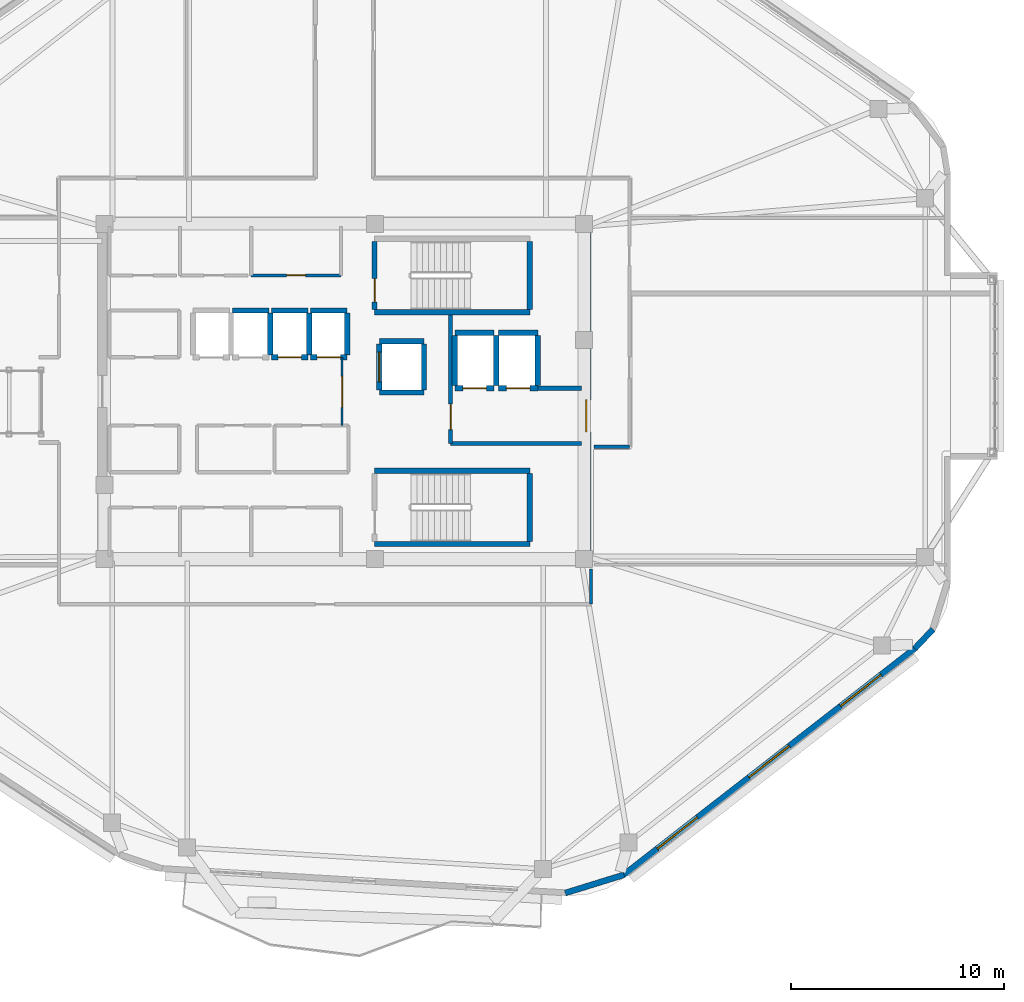
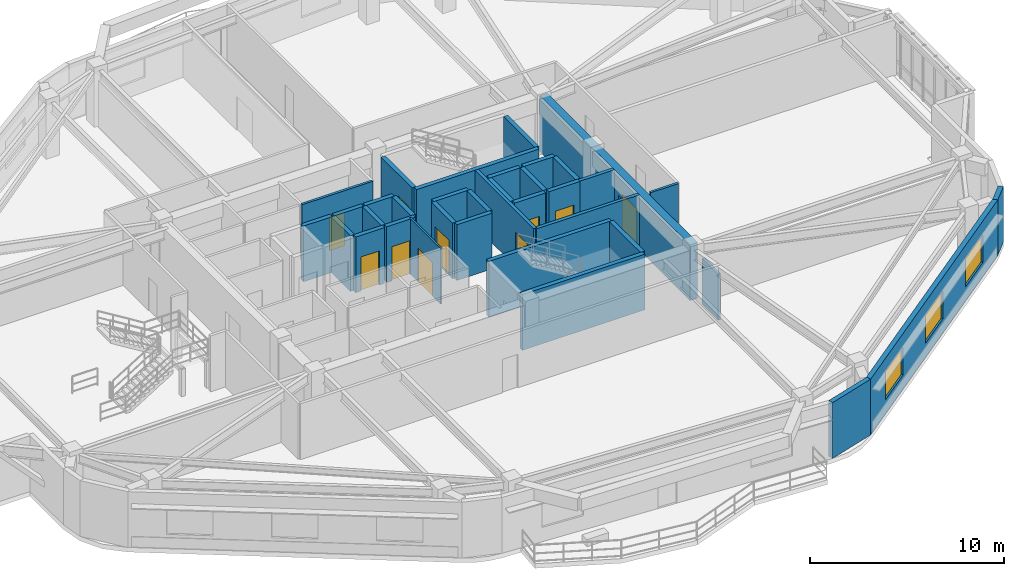
# One storey, part 13 of 18: 36 walls, 10 doors, 3 windows, 13 openings.
"""IFC4 building model written with IfcOpenShell, lengths in metres."""

from ifc_helpers import new_model, si_unit, direction, frame, frame_2d, origin, place, context, subcontext, project, spatial, rectangle, extrude, material, layer, layer_set, type_object, element, fill, save


model = new_model("IFC4")

# Units and contexts
model_context = context("Model", 3, precision=1e-05, world=origin(), true_north=direction((0.0, 1.0)))
body_context = subcontext(model_context, "Body", "Model", "MODEL_VIEW")
ifc_project = project(units=[si_unit("LENGTHUNIT", "METRE"), si_unit("AREAUNIT", "SQUARE_METRE"), si_unit("VOLUMEUNIT", "CUBIC_METRE"), si_unit("PLANEANGLEUNIT", "RADIAN"), si_unit("MASSUNIT", "GRAM", prefix="KILO")], contexts=[model_context])

# Site, building, storey
site_placement = place(None, origin())
site = spatial("IfcSite", under=ifc_project, at=site_placement, CompositionType="ELEMENT")
building_placement = place(site_placement, origin())
building = spatial("IfcBuilding", under=site, at=building_placement, Name="Zulverin Broadcast Headquarters", CompositionType="ELEMENT")
storey_placement = place(building_placement, frame((0.0, 0.0, 225.0)))
storey = spatial("IfcBuildingStorey", under=building, at=storey_placement, Name="L57", CompositionType="ELEMENT", Elevation=225.0)

# Wall, opening, door
ifc_material_1 = material(Name="Concrete C50/60", Category="concrete")
ifc_layer_1 = layer(ifc_material_1, 0.449951171875, Name="Concrete C50/60", Category="concrete")
ifc_layer_set_1 = layer_set([ifc_layer_1], Name="Concrete C50/60")
wall_type_1 = type_object("IfcWallType", Name="WL-CORE-450", PredefinedType="SHEAR", material=ifc_layer_set_1)
wall_1_placement = place(storey_placement, frame((48.375, 17.449951171875, 0.0), z_axis=(0.0, 0.0, 1.0), x_axis=(0.0, 1.0, 0.0)))
wall_1 = element("IfcWall", 1, at=wall_1_placement, inside=storey, type_object=wall_type_1, Name="L57 Core East Shear Wall", PredefinedType="SHEAR", context=body_context, shape_type="SweptSolid", body=[
    extrude(rectangle(XDim=15.5, YDim=0.449951171875, at=frame_2d((7.75, 0.0))), origin(), (0.0, 0.0, 1.0), 3.510009765625),
])
opening_1_placement = place(wall_1_placement, frame((5.85009765625, 0.0, 0.0)))
opening_1 = element("IfcOpeningElement", 2, at=opening_1_placement, cuts=wall_1, Name="Opening D-L57-CE1", PredefinedType="OPENING", context=body_context, shape_type="SweptSolid", body=[
    extrude(rectangle(XDim=1.5, YDim=2.14990234375, at=frame_2d((0.75, 1.074951171875))), frame((0.0, 0.23486328125, 0.0), z_axis=(0.0, -1.0, 0.0), x_axis=(1.0, 0.0, 0.0)), (0.0, 0.0, 1.0), 0.469970703125),
])
ifc_material_2 = material(Name="Fire-rated glazed steel frame", Category="steel")
door_type_1 = type_object("IfcDoorType", Name="DR-COR-1500", OperationType="DOUBLE_DOOR_SINGLE_SWING", PredefinedType="DOOR", material=ifc_material_2)
door_1_placement = place(opening_1_placement, origin())
door_1 = element("IfcDoor", 3, at=door_1_placement, inside=storey, type_object=door_type_1, Name="L57 Firefighting Lobby East Corridor Door", OperationType="DOUBLE_DOOR_SINGLE_SWING", OverallHeight=2.14990234375, OverallWidth=1.5, PredefinedType="DOOR", context=body_context, shape_type="SweptSolid", body=[
    extrude(rectangle(XDim=1.5, YDim=2.14990234375, at=frame_2d((0.75, 1.074951171875))), frame((0.0, 0.02490234375, 0.0), z_axis=(0.0, -1.0, 0.0), x_axis=(1.0, 0.0, 0.0)), (0.0, 0.0, 1.0), 0.050048828125),
])
fill(opening_1, door_1)

# Wall, openings, windows
ifc_material_3 = material(Name="Insulated pale-metal clad concrete spandrel C40/50", Category="concrete")
ifc_layer_2 = layer(ifc_material_3, 0.280029296875, Name="Insulated pale-metal clad concrete spandrel C40/50", Category="concrete")
ifc_layer_set_2 = layer_set([ifc_layer_2], Name="Insulated pale-metal clad concrete spandrel C40/50")
wall_type_2 = type_object("IfcWallType", Name="WL-EXT-280", PredefinedType="STANDARD", material=ifc_layer_set_2)
wall_2_placement = place(storey_placement, frame((50.10400390625, 2.458984375, 0.0), z_axis=(0.0, 0.0, 1.0), x_axis=(0.789464857485, 0.613795763097, 0.0)))
wall_2 = element("IfcWall", 4, at=wall_2_placement, inside=storey, type_object=wall_type_2, Name="L57 Pale-Metal Clad Spandrel Wall 2", PredefinedType="STANDARD", context=body_context, shape_type="SweptSolid", body=[
    extrude(rectangle(XDim=17.387451171875, YDim=0.280029296875, at=frame_2d((8.69384765625, 0.0))), origin(), (0.0, 0.0, 1.0), 3.510009765625),
])
opening_2_placement = place(wall_2_placement, frame((2.03125, 0.0, 0.89990234375)))
opening_2 = element("IfcOpeningElement", 5, at=opening_2_placement, cuts=wall_2, Name="Opening W-L57-E21", PredefinedType="OPENING", context=body_context, shape_type="SweptSolid", body=[
    extrude(rectangle(XDim=2.39990234375, YDim=1.75, at=frame_2d((1.199951171875, 0.875))), frame((0.0, 0.14990234375, 0.0), z_axis=(0.0, -1.0, 0.0), x_axis=(1.0, 0.0, 0.0)), (0.0, 0.0, 1.0), 0.300048828125),
])
opening_3_placement = place(wall_2_placement, frame((7.49365234375, 0.0, 0.89990234375)))
opening_3 = element("IfcOpeningElement", 6, at=opening_3_placement, cuts=wall_2, Name="Opening W-L57-E22", PredefinedType="OPENING", context=body_context, shape_type="SweptSolid", body=[
    extrude(rectangle(XDim=2.39990234375, YDim=1.75, at=frame_2d((1.199951171875, 0.875))), frame((0.0, 0.14990234375, 0.0), z_axis=(0.0, -1.0, 0.0), x_axis=(1.0, 0.0, 0.0)), (0.0, 0.0, 1.0), 0.300048828125),
])
opening_4_placement = place(wall_2_placement, frame((12.956298828125, 0.0, 0.89990234375)))
opening_4 = element("IfcOpeningElement", 7, at=opening_4_placement, cuts=wall_2, Name="Opening W-L57-E23", PredefinedType="OPENING", context=body_context, shape_type="SweptSolid", body=[
    extrude(rectangle(XDim=2.39990234375, YDim=1.75, at=frame_2d((1.199951171875, 0.875))), frame((0.0, 0.14990234375, 0.0), z_axis=(0.0, -1.0, 0.0), x_axis=(1.0, 0.0, 0.0)), (0.0, 0.0, 1.0), 0.300048828125),
])
ifc_material_4 = material(Name="Pale anodized aluminium frame with solar-control low-E double glazing", Category="aluminium")
window_type = type_object("IfcWindowType", Name="WIN-RIB-2400", PartitioningType="SINGLE_PANEL", PredefinedType="WINDOW", material=ifc_material_4)
window_1_placement = place(opening_2_placement, origin())
window_1 = element("IfcWindow", 8, at=window_1_placement, inside=storey, type_object=window_type, Name="L57 Ribbon Glazing Window 2 1", OverallHeight=1.75, OverallWidth=2.39990234375, PartitioningType="SINGLE_PANEL", PredefinedType="WINDOW", context=body_context, shape_type="SweptSolid", body=[
    extrude(rectangle(XDim=2.39990234375, YDim=1.75, at=frame_2d((1.199951171875, 0.875))), frame((0.0, 0.030029296875, 0.0), z_axis=(0.0, -1.0, 0.0), x_axis=(1.0, 0.0, 0.0)), (0.0, 0.0, 1.0), 0.06005859375),
])
fill(opening_2, window_1)
window_2_placement = place(opening_3_placement, origin())
window_2 = element("IfcWindow", 9, at=window_2_placement, inside=storey, type_object=window_type, Name="L57 Ribbon Glazing Window 2 2", OverallHeight=1.75, OverallWidth=2.39990234375, PartitioningType="SINGLE_PANEL", PredefinedType="WINDOW", context=body_context, shape_type="SweptSolid", body=[
    extrude(rectangle(XDim=2.39990234375, YDim=1.75, at=frame_2d((1.199951171875, 0.875))), frame((0.0, 0.030029296875, 0.0), z_axis=(0.0, -1.0, 0.0), x_axis=(1.0, 0.0, 0.0)), (0.0, 0.0, 1.0), 0.06005859375),
])
fill(opening_3, window_2)
window_3_placement = place(opening_4_placement, origin())
window_3 = element("IfcWindow", 10, at=window_3_placement, inside=storey, type_object=window_type, Name="L57 Ribbon Glazing Window 2 3", OverallHeight=1.75, OverallWidth=2.39990234375, PartitioningType="SINGLE_PANEL", PredefinedType="WINDOW", context=body_context, shape_type="SweptSolid", body=[
    extrude(rectangle(XDim=2.39990234375, YDim=1.75, at=frame_2d((1.199951171875, 0.875))), frame((0.0, 0.030029296875, 0.0), z_axis=(0.0, -1.0, 0.0), x_axis=(1.0, 0.0, 0.0)), (0.0, 0.0, 1.0), 0.06005859375),
])
fill(opening_4, window_3)

# Walls
wall_3_placement = place(storey_placement, frame((47.38623046875, 1.626220703125, 0.0), z_axis=(0.0, 0.0, 1.0), x_axis=(0.955189316149, 0.29599555793, 0.0)))
element("IfcWall", 11, at=wall_3_placement, inside=storey, type_object=wall_type_2, Name="L57 Wind-Shaped Corner Spandrel Wall 1-1", PredefinedType="STANDARD", context=body_context, shape_type="SweptSolid", body=[
    extrude(rectangle(XDim=2.891845703125, YDim=0.280029296875, at=frame_2d((1.44580078125, 0.0))), origin(), (0.0, 0.0, 1.0), 3.510009765625),
])
wall_4_placement = place(storey_placement, frame((63.81494140625, 13.1171875, 0.0), z_axis=(0.0, 0.0, 1.0), x_axis=(0.687733716128, 0.725963040176, 0.0)))
element("IfcWall", 12, at=wall_4_placement, inside=storey, type_object=wall_type_2, Name="L57 Wind-Shaped Corner Spandrel Wall 2-1", PredefinedType="STANDARD", context=body_context, shape_type="SweptSolid", body=[
    extrude(rectangle(XDim=1.239013671875, YDim=0.280029296875, at=frame_2d((0.61962890625, 0.0))), origin(), (0.0, 0.0, 1.0), 3.510009765625),
])

# Wall, opening, door
ifc_material_5 = material(Name="Concrete C40/50", Category="concrete")
ifc_layer_3 = layer(ifc_material_5, 0.199951171875, Name="Concrete C40/50", Category="concrete")
ifc_layer_set_3 = layer_set([ifc_layer_3], Name="Concrete C40/50")
wall_type_3 = type_object("IfcWallType", Name="WL-FFL-200", PredefinedType="SOLIDWALL", material=ifc_layer_set_3)
wall_5_placement = place(storey_placement, frame((42.0, 22.75, 0.0), z_axis=(0.0, 0.0, 1.0), x_axis=(0.0, 1.0, 0.0)))
wall_5 = element("IfcWall", 13, at=wall_5_placement, inside=storey, type_object=wall_type_3, Name="L57 Firefighting Lift Lobby West Wall", PredefinedType="SOLIDWALL", context=body_context, shape_type="SweptSolid", body=[
    extrude(rectangle(XDim=6.050048828125, YDim=0.199951171875, at=frame_2d((3.02490234375, 0.0))), origin(), (0.0, 0.0, 1.0), 3.510009765625),
])
opening_5_placement = place(wall_5_placement, frame((0.64990234375, 0.0, 0.0)))
opening_5 = element("IfcOpeningElement", 14, at=opening_5_placement, cuts=wall_5, Name="Opening D-L57-FFLW", PredefinedType="OPENING", context=body_context, shape_type="SweptSolid", body=[
    extrude(rectangle(XDim=1.199951171875, YDim=2.14990234375, at=frame_2d((0.60009765625, 1.074951171875))), frame((0.0, 0.10986328125, 0.0), z_axis=(0.0, -1.0, 0.0), x_axis=(1.0, 0.0, 0.0)), (0.0, 0.0, 1.0), 0.219970703125),
])
ifc_material_6 = material(Name="Fire-rated steel leaf and frame", Category="steel")
door_type_2 = type_object("IfcDoorType", Name="DR-FFL-1200", OperationType="SINGLE_SWING_RIGHT", PredefinedType="DOOR", material=ifc_material_6)
door_2_placement = place(opening_5_placement, origin())
door_2 = element("IfcDoor", 15, at=door_2_placement, inside=storey, type_object=door_type_2, Name="L57 Firefighting Lift Lobby Door", OperationType="SINGLE_SWING_RIGHT", OverallHeight=2.14990234375, OverallWidth=1.199951171875, PredefinedType="DOOR", context=body_context, shape_type="SweptSolid", body=[
    extrude(rectangle(XDim=1.199951171875, YDim=2.14990234375, at=frame_2d((0.60009765625, 1.074951171875))), frame((0.0, 0.02490234375, 0.0), z_axis=(0.0, -1.0, 0.0), x_axis=(1.0, 0.0, 0.0)), (0.0, 0.0, 1.0), 0.050048828125),
])
fill(opening_5, door_2)

# Walls
wall_6_placement = place(storey_placement, frame((42.0, 22.75, 0.0), z_axis=(0.0, 0.0, 1.0), x_axis=(1.0, 0.0, 0.0)))
element("IfcWall", 16, at=wall_6_placement, inside=storey, type_object=wall_type_3, Name="L57 Firefighting Lift Lobby South Wall", PredefinedType="SOLIDWALL", context=body_context, shape_type="SweptSolid", body=[
    extrude(rectangle(XDim=6.14990234375, YDim=0.199951171875, at=frame_2d((3.074951171875, 0.0))), origin(), (0.0, 0.0, 1.0), 3.510009765625),
])
wall_7_placement = place(storey_placement, frame((46.10009765625, 25.35009765625, 0.0), z_axis=(0.0, 0.0, 1.0), x_axis=(1.0, 0.0, 0.0)))
element("IfcWall", 17, at=wall_7_placement, inside=storey, type_object=wall_type_3, Name="L57 Firefighting Lift Lobby North Wall", PredefinedType="SOLIDWALL", context=body_context, shape_type="SweptSolid", body=[
    extrude(rectangle(XDim=2.0498046875, YDim=0.199951171875, at=frame_2d((1.02490234375, 0.0))), origin(), (0.0, 0.0, 1.0), 3.510009765625),
])

# Wall, opening, door
ifc_material_7 = material(Name="Fire-rated acoustic laminated glass screen", Category="glass")
ifc_layer_4 = layer(ifc_material_7, 0.10009765625, Name="Fire-rated acoustic laminated glass screen", Category="glass")
ifc_layer_set_4 = layer_set([ifc_layer_4], Name="Fire-rated acoustic laminated glass screen")
wall_type_4 = type_object("IfcWallType", Name="WL-GLAZ-100", PredefinedType="PARTITIONING", material=ifc_layer_set_4)
wall_8_placement = place(storey_placement, frame((36.89990234375, 23.60009765625, 0.0), z_axis=(0.0, 0.0, 1.0), x_axis=(0.0, 1.0, 0.0)))
wall_8 = element("IfcWall", 18, at=wall_8_placement, inside=storey, type_object=wall_type_4, Name="L57 Core Goods & Stair Hall Screen", PredefinedType="PARTITIONING", context=body_context, shape_type="SweptSolid", body=[
    extrude(rectangle(XDim=3.199951171875, YDim=0.10009765625, at=frame_2d((1.60009765625, 0.0))), origin(), (0.0, 0.0, 1.0), 3.510009765625),
])
opening_6_placement = place(wall_8_placement, frame((0.85009765625, 0.0, 0.0)))
opening_6 = element("IfcOpeningElement", 19, at=opening_6_placement, cuts=wall_8, Name="Opening D-L57-CL3", PredefinedType="OPENING", context=body_context, shape_type="SweptSolid", body=[
    extrude(rectangle(XDim=1.449951171875, YDim=2.1201171875, at=frame_2d((0.72509765625, 1.06005859375))), frame((0.0, 0.06005859375, 0.0), z_axis=(0.0, -1.0, 0.0), x_axis=(1.0, 0.0, 0.0)), (0.0, 0.0, 1.0), 0.1201171875),
])
ifc_material_8 = material(Name="Fire-rated acoustic glazed double leaf", Category="glass")
door_type_3 = type_object("IfcDoorType", Name="DR-GLZ-1450", OperationType="DOUBLE_DOOR_SINGLE_SWING", PredefinedType="DOOR", material=ifc_material_8)
door_3_placement = place(opening_6_placement, origin())
door_3 = element("IfcDoor", 20, at=door_3_placement, inside=storey, type_object=door_type_3, Name="L57 Core Goods & Stair Hall Door", OperationType="DOUBLE_DOOR_SINGLE_SWING", OverallHeight=2.1201171875, OverallWidth=1.449951171875, PredefinedType="DOOR", context=body_context, shape_type="SweptSolid", body=[
    extrude(rectangle(XDim=1.449951171875, YDim=2.1201171875, at=frame_2d((0.72509765625, 1.06005859375))), frame((0.0, 0.02490234375, 0.0), z_axis=(0.0, -1.0, 0.0), x_axis=(1.0, 0.0, 0.0)), (0.0, 0.0, 1.0), 0.050048828125),
])
fill(opening_6, door_3)

ifc_material_9 = material(Name="Fire-rated gypsum stud partition", Category="gypsum")
ifc_layer_5 = layer(ifc_material_9, 0.14990234375, Name="Fire-rated gypsum stud partition", Category="gypsum")
ifc_layer_set_5 = layer_set([ifc_layer_5], Name="Fire-rated gypsum stud partition")
wall_type_5 = type_object("IfcWallType", Name="WL-PART-150", PredefinedType="PARTITIONING", material=ifc_layer_set_5)
wall_9_placement = place(storey_placement, frame((32.6298828125, 30.64990234375, 0.0), z_axis=(0.0, 0.0, 1.0), x_axis=(1.0, 0.0, 0.0)))
wall_9 = element("IfcWall", 21, at=wall_9_placement, inside=storey, type_object=wall_type_5, Name="L57 Core Electrical Distribution Riser Front Wall", PredefinedType="PARTITIONING", context=body_context, shape_type="SweptSolid", body=[
    extrude(rectangle(XDim=4.22021484375, YDim=0.14990234375, at=frame_2d((2.110107421875, 0.0))), origin(), (0.0, 0.0, 1.0), 3.510009765625),
])
opening_7_placement = place(wall_9_placement, frame((1.659912109375, 0.0, 0.0)))
opening_7 = element("IfcOpeningElement", 22, at=opening_7_placement, cuts=wall_9, Name="Opening D-L57-NC3", PredefinedType="OPENING", context=body_context, shape_type="SweptSolid", body=[
    extrude(rectangle(XDim=0.89990234375, YDim=2.10009765625, at=frame_2d((0.449951171875, 1.050048828125))), frame((0.0, 0.0849609375, 0.0), z_axis=(0.0, -1.0, 0.0), x_axis=(1.0, 0.0, 0.0)), (0.0, 0.0, 1.0), 0.169921875),
])
ifc_material_10 = material(Name="Powder-coated steel access leaf", Category="steel")
door_type_4 = type_object("IfcDoorType", Name="DR-RISER-900", OperationType="SINGLE_SWING_LEFT", PredefinedType="DOOR", material=ifc_material_10)
door_4_placement = place(opening_7_placement, origin())
door_4 = element("IfcDoor", 23, at=door_4_placement, inside=storey, type_object=door_type_4, Name="L57 Electrical Distribution Riser Door", OperationType="SINGLE_SWING_LEFT", OverallHeight=2.10009765625, OverallWidth=0.89990234375, PredefinedType="DOOR", context=body_context, shape_type="SweptSolid", body=[
    extrude(rectangle(XDim=0.89990234375, YDim=2.10009765625, at=frame_2d((0.449951171875, 1.050048828125))), frame((0.0, 0.02490234375, 0.0), z_axis=(0.0, -1.0, 0.0), x_axis=(1.0, 0.0, 0.0)), (0.0, 0.0, 1.0), 0.050048828125),
])
fill(opening_7, door_4)

# Walls
wall_10_placement = place(storey_placement, frame((48.60009765625, 15.199951171875, 0.0), z_axis=(0.0, 0.0, 1.0), x_axis=(0.0, 1.0, 0.0)))
element("IfcWall", 24, at=wall_10_placement, inside=storey, type_object=wall_type_5, Name="L57 Gallery Partition Wall CG-02", PredefinedType="PARTITIONING", context=body_context, shape_type="SweptSolid", body=[
    extrude(rectangle(XDim=1.66015625, YDim=0.14990234375, at=frame_2d((0.830078125, 0.0))), origin(), (0.0, 0.0, 1.0), 2.892822265625),
])
wall_11_placement = place(storey_placement, frame((48.739990234375, 22.60009765625, 0.0), z_axis=(0.0, 0.0, 1.0), x_axis=(1.0, 0.0, 0.0)))
element("IfcWall", 25, at=wall_11_placement, inside=storey, type_object=wall_type_5, Name="L57 Gallery Partition Wall CG-11", PredefinedType="PARTITIONING", context=body_context, shape_type="SweptSolid", body=[
    extrude(rectangle(XDim=1.659912109375, YDim=0.14990234375, at=frame_2d((0.830078125, 0.0))), origin(), (0.0, 0.0, 1.0), 3.510009765625),
])
ifc_layer_6 = layer(ifc_material_1, 0.25, Name="Concrete C50/60", Category="concrete")
ifc_layer_set_6 = layer_set([ifc_layer_6], Name="Concrete C50/60")
wall_type_6 = type_object("IfcWallType", Name="WL-SHAFT-250", PredefinedType="SHEAR", material=ifc_layer_set_6)
wall_12_placement = place(storey_placement, frame((38.425048828125, 28.925048828125, 0.0), z_axis=(0.0, 0.0, 1.0), x_axis=(1.0, 0.0, 0.0)))
element("IfcWall", 26, at=wall_12_placement, inside=storey, type_object=wall_type_6, Name="L57 ST-1 Enclosure Wall S", PredefinedType="SHEAR", context=body_context, shape_type="SweptSolid", body=[
    extrude(rectangle(XDim=7.300048828125, YDim=0.25, at=frame_2d((3.64990234375, 0.0))), origin(), (0.0, 0.0, 1.0), 3.510009765625),
])

# Wall, opening, door
wall_13_placement = place(storey_placement, frame((38.425048828125, 29.050048828125, 0.0), z_axis=(0.0, 0.0, 1.0), x_axis=(0.0, 1.0, 0.0)))
wall_13 = element("IfcWall", 27, at=wall_13_placement, inside=storey, type_object=wall_type_6, Name="L57 ST-1 Enclosure Wall W", PredefinedType="SHEAR", context=body_context, shape_type="SweptSolid", body=[
    extrude(rectangle(XDim=3.199951171875, YDim=0.25, at=frame_2d((1.60009765625, 0.0))), origin(), (0.0, 0.0, 1.0), 3.510009765625),
])
opening_8_placement = place(wall_13_placement, frame((0.35009765625, 0.0, 0.0)))
opening_8 = element("IfcOpeningElement", 28, at=opening_8_placement, cuts=wall_13, Name="Opening D-L57-ST-1", PredefinedType="OPENING", context=body_context, shape_type="SweptSolid", body=[
    extrude(rectangle(XDim=1.10009765625, YDim=2.14990234375, at=frame_2d((0.550048828125, 1.074951171875))), frame((0.0, 0.135009765625, 0.0), z_axis=(0.0, -1.0, 0.0), x_axis=(1.0, 0.0, 0.0)), (0.0, 0.0, 1.0), 0.27001953125),
])
door_type_5 = type_object("IfcDoorType", Name="DR-STAIR-1100", OperationType="SINGLE_SWING_LEFT", PredefinedType="DOOR", material=ifc_material_6)
door_5_placement = place(opening_8_placement, origin())
door_5 = element("IfcDoor", 29, at=door_5_placement, inside=storey, type_object=door_type_5, Name="L57 Exit Stair ST-1 Fire Door", OperationType="SINGLE_SWING_LEFT", OverallHeight=2.14990234375, OverallWidth=1.10009765625, PredefinedType="DOOR", context=body_context, shape_type="SweptSolid", body=[
    extrude(rectangle(XDim=1.10009765625, YDim=2.14990234375, at=frame_2d((0.550048828125, 1.074951171875))), frame((0.0, 0.02490234375, 0.0), z_axis=(0.0, -1.0, 0.0), x_axis=(1.0, 0.0, 0.0)), (0.0, 0.0, 1.0), 0.050048828125),
])
fill(opening_8, door_5)

# Walls
wall_14_placement = place(storey_placement, frame((45.72509765625, 29.050048828125, 0.0), z_axis=(0.0, 0.0, 1.0), x_axis=(0.0, 1.0, 0.0)))
element("IfcWall", 30, at=wall_14_placement, inside=storey, type_object=wall_type_6, Name="L57 ST-1 Enclosure Wall E", PredefinedType="SHEAR", context=body_context, shape_type="SweptSolid", body=[
    extrude(rectangle(XDim=3.199951171875, YDim=0.25, at=frame_2d((1.60009765625, 0.0))), origin(), (0.0, 0.0, 1.0), 3.510009765625),
])
for number, where, z_axis, x_axis, name in (
    (31, (38.425048828125, 18.02490234375, 0.0), (0.0, 0.0, 1.0), (1.0, 0.0, 0.0), "L57 ST-2 Enclosure Wall S"),
    (32, (38.425048828125, 21.47509765625, 0.0), (0.0, 0.0, 1.0), (1.0, 0.0, 0.0), "L57 ST-2 Enclosure Wall N"),
):
    element("IfcWall", number, at=place(storey_placement, frame(where, z_axis=z_axis, x_axis=x_axis)), inside=storey, type_object=wall_type_6, Name=name, PredefinedType="SHEAR", context=body_context, shape_type="SweptSolid", body=[
        extrude(rectangle(XDim=7.300048828125, YDim=0.25, at=frame_2d((3.64990234375, 0.0))), origin(), (0.0, 0.0, 1.0), 3.510009765625),
    ])
wall_15_placement = place(storey_placement, frame((45.72509765625, 18.14990234375, 0.0), z_axis=(0.0, 0.0, 1.0), x_axis=(0.0, 1.0, 0.0)))
element("IfcWall", 33, at=wall_15_placement, inside=storey, type_object=wall_type_6, Name="L57 ST-2 Enclosure Wall E", PredefinedType="SHEAR", context=body_context, shape_type="SweptSolid", body=[
    extrude(rectangle(XDim=3.2001953125, YDim=0.25, at=frame_2d((1.60009765625, 0.0))), origin(), (0.0, 0.0, 1.0), 3.510009765625),
])
wall_16_placement = place(storey_placement, frame((31.739990234375, 29.0, 0.0), z_axis=(0.0, 0.0, 1.0), x_axis=(1.0, 0.0, 0.0)))
element("IfcWall", 34, at=wall_16_placement, inside=storey, type_object=wall_type_6, Name="L57 Lift PL-H2 Shaft Wall N", PredefinedType="SHEAR", context=body_context, shape_type="SweptSolid", body=[
    extrude(rectangle(XDim=1.719970703125, YDim=0.25, at=frame_2d((0.85986328125, 0.0))), origin(), (0.0, 0.0, 1.0), 3.510009765625),
])
wall_17_placement = place(storey_placement, frame((33.52001953125, 26.919921875, 0.0), z_axis=(0.0, 0.0, 1.0), x_axis=(0.0, 1.0, 0.0)))
element("IfcWall", 35, at=wall_17_placement, inside=storey, type_object=wall_type_6, Name="L57 Lift PL-H2 Shaft Wall E", PredefinedType="SHEAR", context=body_context, shape_type="SweptSolid", body=[
    extrude(rectangle(XDim=1.9599609375, YDim=0.25, at=frame_2d((0.97998046875, 0.0))), origin(), (0.0, 0.0, 1.0), 3.510009765625),
])

# Wall, opening, door
wall_18_placement = place(storey_placement, frame((33.580078125, 26.800048828125, 0.0), z_axis=(0.0, 0.0, 1.0), x_axis=(1.0, 0.0, 0.0)))
wall_18 = element("IfcWall", 36, at=wall_18_placement, inside=storey, type_object=wall_type_6, Name="L57 Lift PL-H3 Shaft Wall S", PredefinedType="SHEAR", context=body_context, shape_type="SweptSolid", body=[
    extrude(rectangle(XDim=1.719970703125, YDim=0.25, at=frame_2d((0.85986328125, 0.0))), origin(), (0.0, 0.0, 1.0), 3.510009765625),
])
opening_9_placement = place(wall_18_placement, frame((0.31005859375, 0.0, 0.0)))
opening_9 = element("IfcOpeningElement", 37, at=opening_9_placement, cuts=wall_18, Name="Opening LD-PL-H3-L57", PredefinedType="OPENING", context=body_context, shape_type="SweptSolid", body=[
    extrude(rectangle(XDim=1.10009765625, YDim=2.14990234375, at=frame_2d((0.550048828125, 1.074951171875))), frame((0.0, 0.135009765625, 0.0), z_axis=(0.0, -1.0, 0.0), x_axis=(1.0, 0.0, 0.0)), (0.0, 0.0, 1.0), 0.27001953125),
])
ifc_material_11 = material(Name="Brushed stainless steel landing", Category="steel")
door_type_6 = type_object("IfcDoorType", Name="LD-PASS-1100", OperationType="DOUBLE_DOOR_SLIDING", PredefinedType="DOOR", material=ifc_material_11)
door_6_placement = place(opening_9_placement, origin())
door_6 = element("IfcDoor", 38, at=door_6_placement, inside=storey, type_object=door_type_6, Name="L57 Lift PL-H3 Sliding Landing Door", OperationType="DOUBLE_DOOR_SLIDING", OverallHeight=2.14990234375, OverallWidth=1.10009765625, PredefinedType="DOOR", context=body_context, shape_type="SweptSolid", body=[
    extrude(rectangle(XDim=1.10009765625, YDim=2.14990234375, at=frame_2d((0.550048828125, 1.074951171875))), frame((0.0, 0.02490234375, 0.0), z_axis=(0.0, -1.0, 0.0), x_axis=(1.0, 0.0, 0.0)), (0.0, 0.0, 1.0), 0.050048828125),
])
fill(opening_9, door_6)

# Walls
wall_19_placement = place(storey_placement, frame((33.580078125, 29.0, 0.0), z_axis=(0.0, 0.0, 1.0), x_axis=(1.0, 0.0, 0.0)))
element("IfcWall", 39, at=wall_19_placement, inside=storey, type_object=wall_type_6, Name="L57 Lift PL-H3 Shaft Wall N", PredefinedType="SHEAR", context=body_context, shape_type="SweptSolid", body=[
    extrude(rectangle(XDim=1.719970703125, YDim=0.25, at=frame_2d((0.85986328125, 0.0))), origin(), (0.0, 0.0, 1.0), 3.510009765625),
])
wall_20_placement = place(storey_placement, frame((35.360107421875, 26.919921875, 0.0), z_axis=(0.0, 0.0, 1.0), x_axis=(0.0, 1.0, 0.0)))
element("IfcWall", 40, at=wall_20_placement, inside=storey, type_object=wall_type_6, Name="L57 Lift PL-H3 Shaft Wall E", PredefinedType="SHEAR", context=body_context, shape_type="SweptSolid", body=[
    extrude(rectangle(XDim=1.9599609375, YDim=0.25, at=frame_2d((0.97998046875, 0.0))), origin(), (0.0, 0.0, 1.0), 3.510009765625),
])

# Wall, opening, door
wall_21_placement = place(storey_placement, frame((35.419921875, 26.800048828125, 0.0), z_axis=(0.0, 0.0, 1.0), x_axis=(1.0, 0.0, 0.0)))
wall_21 = element("IfcWall", 41, at=wall_21_placement, inside=storey, type_object=wall_type_6, Name="L57 Lift PL-H4 Shaft Wall S", PredefinedType="SHEAR", context=body_context, shape_type="SweptSolid", body=[
    extrude(rectangle(XDim=1.719970703125, YDim=0.25, at=frame_2d((0.85986328125, 0.0))), origin(), (0.0, 0.0, 1.0), 3.510009765625),
])
opening_10_placement = place(wall_21_placement, frame((0.31005859375, 0.0, 0.0)))
opening_10 = element("IfcOpeningElement", 42, at=opening_10_placement, cuts=wall_21, Name="Opening LD-PL-H4-L57", PredefinedType="OPENING", context=body_context, shape_type="SweptSolid", body=[
    extrude(rectangle(XDim=1.10009765625, YDim=2.14990234375, at=frame_2d((0.550048828125, 1.074951171875))), frame((0.0, 0.135009765625, 0.0), z_axis=(0.0, -1.0, 0.0), x_axis=(1.0, 0.0, 0.0)), (0.0, 0.0, 1.0), 0.27001953125),
])
door_7_placement = place(opening_10_placement, origin())
door_7 = element("IfcDoor", 43, at=door_7_placement, inside=storey, type_object=door_type_6, Name="L57 Lift PL-H4 Sliding Landing Door", OperationType="DOUBLE_DOOR_SLIDING", OverallHeight=2.14990234375, OverallWidth=1.10009765625, PredefinedType="DOOR", context=body_context, shape_type="SweptSolid", body=[
    extrude(rectangle(XDim=1.10009765625, YDim=2.14990234375, at=frame_2d((0.550048828125, 1.074951171875))), frame((0.0, 0.02490234375, 0.0), z_axis=(0.0, -1.0, 0.0), x_axis=(1.0, 0.0, 0.0)), (0.0, 0.0, 1.0), 0.050048828125),
])
fill(opening_10, door_7)

# Walls
wall_22_placement = place(storey_placement, frame((35.419921875, 29.0, 0.0), z_axis=(0.0, 0.0, 1.0), x_axis=(1.0, 0.0, 0.0)))
element("IfcWall", 44, at=wall_22_placement, inside=storey, type_object=wall_type_6, Name="L57 Lift PL-H4 Shaft Wall N", PredefinedType="SHEAR", context=body_context, shape_type="SweptSolid", body=[
    extrude(rectangle(XDim=1.719970703125, YDim=0.25, at=frame_2d((0.85986328125, 0.0))), origin(), (0.0, 0.0, 1.0), 3.510009765625),
])
wall_23_placement = place(storey_placement, frame((37.139892578125, 26.919921875, 0.0), z_axis=(0.0, 0.0, 1.0), x_axis=(0.0, 1.0, 0.0)))
element("IfcWall", 45, at=wall_23_placement, inside=storey, type_object=wall_type_6, Name="L57 Lift PL-H4 Shaft Wall E", PredefinedType="SHEAR", context=body_context, shape_type="SweptSolid", body=[
    extrude(rectangle(XDim=1.9599609375, YDim=0.25, at=frame_2d((0.97998046875, 0.0))), origin(), (0.0, 0.0, 1.0), 3.510009765625),
])

# Wall, opening, door
wall_24_placement = place(storey_placement, frame((42.199951171875, 25.35009765625, 0.0), z_axis=(0.0, 0.0, 1.0), x_axis=(1.0, 0.0, 0.0)))
wall_24 = element("IfcWall", 46, at=wall_24_placement, inside=storey, type_object=wall_type_6, Name="L57 Lift FFL-1 Shaft Wall S", PredefinedType="SHEAR", context=body_context, shape_type="SweptSolid", body=[
    extrude(rectangle(XDim=1.85009765625, YDim=0.25, at=frame_2d((0.925048828125, 0.0))), origin(), (0.0, 0.0, 1.0), 3.510009765625),
])
opening_11_placement = place(wall_24_placement, frame((0.375, 0.0, 0.0)))
opening_11 = element("IfcOpeningElement", 47, at=opening_11_placement, cuts=wall_24, Name="Opening LD-FFL-1-L57", PredefinedType="OPENING", context=body_context, shape_type="SweptSolid", body=[
    extrude(rectangle(XDim=1.10009765625, YDim=2.14990234375, at=frame_2d((0.550048828125, 1.074951171875))), frame((0.0, 0.135009765625, 0.0), z_axis=(0.0, -1.0, 0.0), x_axis=(1.0, 0.0, 0.0)), (0.0, 0.0, 1.0), 0.27001953125),
])
ifc_material_12 = material(Name="Fire-rated stainless landing door", Category="steel")
door_type_7 = type_object("IfcDoorType", Name="LD-FFL-1100", OperationType="DOUBLE_DOOR_SLIDING", PredefinedType="DOOR", material=ifc_material_12)
door_8_placement = place(opening_11_placement, origin())
door_8 = element("IfcDoor", 48, at=door_8_placement, inside=storey, type_object=door_type_7, Name="L57 Lift FFL-1 Sliding Landing Door", OperationType="DOUBLE_DOOR_SLIDING", OverallHeight=2.14990234375, OverallWidth=1.10009765625, PredefinedType="DOOR", context=body_context, shape_type="SweptSolid", body=[
    extrude(rectangle(XDim=1.10009765625, YDim=2.14990234375, at=frame_2d((0.550048828125, 1.074951171875))), frame((0.0, 0.02490234375, 0.0), z_axis=(0.0, -1.0, 0.0), x_axis=(1.0, 0.0, 0.0)), (0.0, 0.0, 1.0), 0.050048828125),
])
fill(opening_11, door_8)

# Walls
wall_25_placement = place(storey_placement, frame((42.199951171875, 27.949951171875, 0.0), z_axis=(0.0, 0.0, 1.0), x_axis=(1.0, 0.0, 0.0)))
element("IfcWall", 49, at=wall_25_placement, inside=storey, type_object=wall_type_6, Name="L57 Lift FFL-1 Shaft Wall N", PredefinedType="SHEAR", context=body_context, shape_type="SweptSolid", body=[
    extrude(rectangle(XDim=1.85009765625, YDim=0.25, at=frame_2d((0.925048828125, 0.0))), origin(), (0.0, 0.0, 1.0), 3.510009765625),
])
for number, where, z_axis, x_axis, name in (
    (50, (42.199951171875, 25.469970703125, 0.0), (0.0, 0.0, 1.0), (0.0, 1.0, 0.0), "L57 Lift FFL-1 Shaft Wall W"),
    (51, (44.14990234375, 25.469970703125, 0.0), (0.0, 0.0, 1.0), (0.0, 1.0, 0.0), "L57 Lift FFL-1 Shaft Wall E"),
):
    element("IfcWall", number, at=place(storey_placement, frame(where, z_axis=z_axis, x_axis=x_axis)), inside=storey, type_object=wall_type_6, Name=name, PredefinedType="SHEAR", context=body_context, shape_type="SweptSolid", body=[
        extrude(rectangle(XDim=2.360107421875, YDim=0.25, at=frame_2d((1.18017578125, 0.0))), origin(), (0.0, 0.0, 1.0), 3.510009765625),
    ])

# Wall, opening, door
wall_26_placement = place(storey_placement, frame((44.25, 25.35009765625, 0.0), z_axis=(0.0, 0.0, 1.0), x_axis=(1.0, 0.0, 0.0)))
wall_26 = element("IfcWall", 52, at=wall_26_placement, inside=storey, type_object=wall_type_6, Name="L57 Lift FFL-2 Shaft Wall S", PredefinedType="SHEAR", context=body_context, shape_type="SweptSolid", body=[
    extrude(rectangle(XDim=1.85009765625, YDim=0.25, at=frame_2d((0.925048828125, 0.0))), origin(), (0.0, 0.0, 1.0), 3.510009765625),
])
opening_12_placement = place(wall_26_placement, frame((0.375, 0.0, 0.0)))
opening_12 = element("IfcOpeningElement", 53, at=opening_12_placement, cuts=wall_26, Name="Opening LD-FFL-2-L57", PredefinedType="OPENING", context=body_context, shape_type="SweptSolid", body=[
    extrude(rectangle(XDim=1.10009765625, YDim=2.14990234375, at=frame_2d((0.550048828125, 1.074951171875))), frame((0.0, 0.135009765625, 0.0), z_axis=(0.0, -1.0, 0.0), x_axis=(1.0, 0.0, 0.0)), (0.0, 0.0, 1.0), 0.27001953125),
])
door_9_placement = place(opening_12_placement, origin())
door_9 = element("IfcDoor", 54, at=door_9_placement, inside=storey, type_object=door_type_7, Name="L57 Lift FFL-2 Sliding Landing Door", OperationType="DOUBLE_DOOR_SLIDING", OverallHeight=2.14990234375, OverallWidth=1.10009765625, PredefinedType="DOOR", context=body_context, shape_type="SweptSolid", body=[
    extrude(rectangle(XDim=1.10009765625, YDim=2.14990234375, at=frame_2d((0.550048828125, 1.074951171875))), frame((0.0, 0.02490234375, 0.0), z_axis=(0.0, -1.0, 0.0), x_axis=(1.0, 0.0, 0.0)), (0.0, 0.0, 1.0), 0.050048828125),
])
fill(opening_12, door_9)

# Walls
wall_27_placement = place(storey_placement, frame((44.25, 27.949951171875, 0.0), z_axis=(0.0, 0.0, 1.0), x_axis=(1.0, 0.0, 0.0)))
element("IfcWall", 55, at=wall_27_placement, inside=storey, type_object=wall_type_6, Name="L57 Lift FFL-2 Shaft Wall N", PredefinedType="SHEAR", context=body_context, shape_type="SweptSolid", body=[
    extrude(rectangle(XDim=1.85009765625, YDim=0.25, at=frame_2d((0.925048828125, 0.0))), origin(), (0.0, 0.0, 1.0), 3.510009765625),
])
wall_28_placement = place(storey_placement, frame((46.10009765625, 25.469970703125, 0.0), z_axis=(0.0, 0.0, 1.0), x_axis=(0.0, 1.0, 0.0)))
element("IfcWall", 56, at=wall_28_placement, inside=storey, type_object=wall_type_6, Name="L57 Lift FFL-2 Shaft Wall E", PredefinedType="SHEAR", context=body_context, shape_type="SweptSolid", body=[
    extrude(rectangle(XDim=2.360107421875, YDim=0.25, at=frame_2d((1.18017578125, 0.0))), origin(), (0.0, 0.0, 1.0), 3.510009765625),
])
for number, where, z_axis, x_axis, name in (
    (57, (38.64990234375, 25.14990234375, 0.0), (0.0, 0.0, 1.0), (1.0, 0.0, 0.0), "L57 Lift SVL-1 Shaft Wall S"),
    (58, (38.64990234375, 27.550048828125, 0.0), (0.0, 0.0, 1.0), (1.0, 0.0, 0.0), "L57 Lift SVL-1 Shaft Wall N"),
):
    element("IfcWall", number, at=place(storey_placement, frame(where, z_axis=z_axis, x_axis=x_axis)), inside=storey, type_object=wall_type_6, Name=name, PredefinedType="SHEAR", context=body_context, shape_type="SweptSolid", body=[
        extrude(rectangle(XDim=2.10009765625, YDim=0.25, at=frame_2d((1.050048828125, 0.0))), origin(), (0.0, 0.0, 1.0), 3.510009765625),
    ])

# Wall, opening, door
wall_29_placement = place(storey_placement, frame((38.64990234375, 25.27001953125, 0.0), z_axis=(0.0, 0.0, 1.0), x_axis=(0.0, 1.0, 0.0)))
wall_29 = element("IfcWall", 59, at=wall_29_placement, inside=storey, type_object=wall_type_6, Name="L57 Lift SVL-1 Shaft Wall W", PredefinedType="SHEAR", context=body_context, shape_type="SweptSolid", body=[
    extrude(rectangle(XDim=2.159912109375, YDim=0.25, at=frame_2d((1.080078125, 0.0))), origin(), (0.0, 0.0, 1.0), 3.510009765625),
])
opening_13_placement = place(wall_29_placement, frame((0.3798828125, 0.0, 0.0)))
opening_13 = element("IfcOpeningElement", 60, at=opening_13_placement, cuts=wall_29, Name="Opening LD-SVL-1-L57", PredefinedType="OPENING", context=body_context, shape_type="SweptSolid", body=[
    extrude(rectangle(XDim=1.39990234375, YDim=2.199951171875, at=frame_2d((0.699951171875, 1.10009765625))), frame((0.0, 0.135009765625, 0.0), z_axis=(0.0, -1.0, 0.0), x_axis=(1.0, 0.0, 0.0)), (0.0, 0.0, 1.0), 0.27001953125),
])
ifc_material_13 = material(Name="Heavy-duty stainless landing door", Category="steel")
door_type_8 = type_object("IfcDoorType", Name="LD-GOODS-1400", OperationType="DOUBLE_DOOR_SLIDING", PredefinedType="DOOR", material=ifc_material_13)
door_10_placement = place(opening_13_placement, origin())
door_10 = element("IfcDoor", 61, at=door_10_placement, inside=storey, type_object=door_type_8, Name="L57 Lift SVL-1 Sliding Landing Door", OperationType="DOUBLE_DOOR_SLIDING", OverallHeight=2.199951171875, OverallWidth=1.39990234375, PredefinedType="DOOR", context=body_context, shape_type="SweptSolid", body=[
    extrude(rectangle(XDim=1.39990234375, YDim=2.199951171875, at=frame_2d((0.699951171875, 1.10009765625))), frame((0.0, 0.02490234375, 0.0), z_axis=(0.0, -1.0, 0.0), x_axis=(1.0, 0.0, 0.0)), (0.0, 0.0, 1.0), 0.050048828125),
])
fill(opening_13, door_10)

# Wall
wall_30_placement = place(storey_placement, frame((40.75, 25.27001953125, 0.0), z_axis=(0.0, 0.0, 1.0), x_axis=(0.0, 1.0, 0.0)))
element("IfcWall", 62, at=wall_30_placement, inside=storey, type_object=wall_type_6, Name="L57 Lift SVL-1 Shaft Wall E", PredefinedType="SHEAR", context=body_context, shape_type="SweptSolid", body=[
    extrude(rectangle(XDim=2.159912109375, YDim=0.25, at=frame_2d((1.080078125, 0.0))), origin(), (0.0, 0.0, 1.0), 3.510009765625),
])

save(model, "model.ifc")
